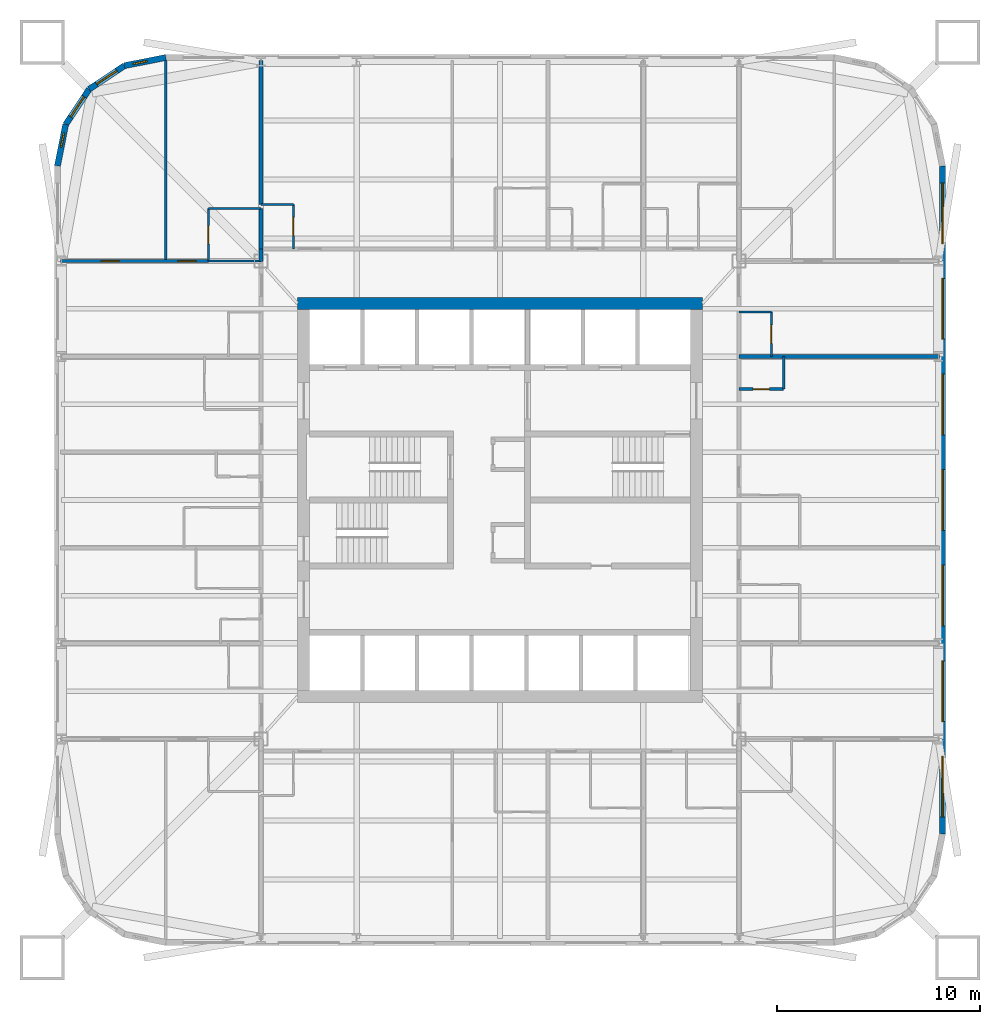
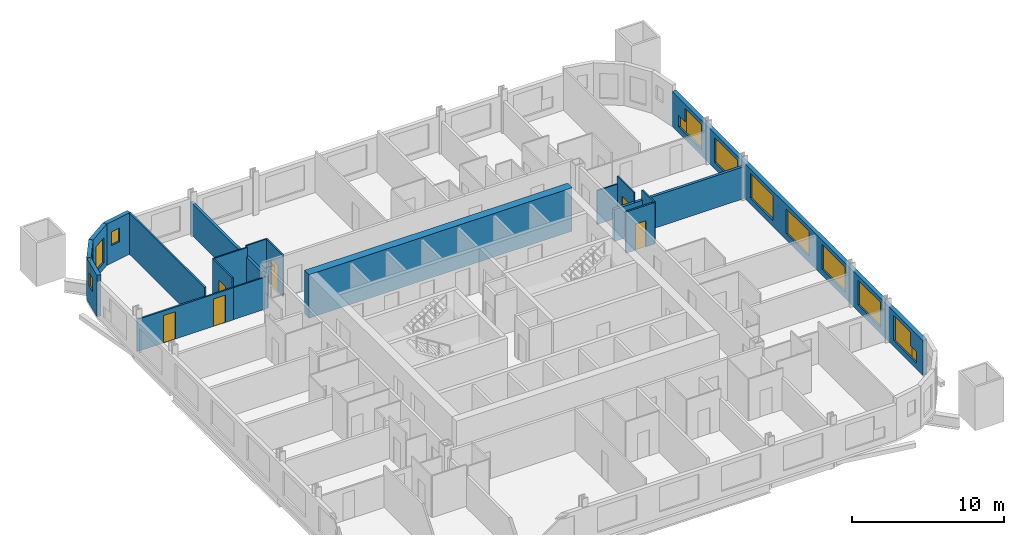
# One storey, part 7 of 10: 21 walls, 13 windows, 6 doors, 19 openings.
"""IFC4 building model written with IfcOpenShell, lengths in metres."""

from ifc_helpers import new_model, si_unit, direction, frame, frame_2d, origin, place, context, subcontext, project, spatial, rectangle, extrude, material, layer, layer_set, type_object, element, fill, save


model = new_model("IFC4")

# Units and contexts
model_context = context("Model", 3, precision=1e-05, world=origin(), true_north=direction((0.0, 1.0)))
body_context = subcontext(model_context, "Body", "Model", "MODEL_VIEW")
ifc_project = project(units=[si_unit("LENGTHUNIT", "METRE"), si_unit("AREAUNIT", "SQUARE_METRE"), si_unit("VOLUMEUNIT", "CUBIC_METRE"), si_unit("PLANEANGLEUNIT", "RADIAN"), si_unit("MASSUNIT", "GRAM", prefix="KILO")], contexts=[model_context])

# Site, building, storey
site_placement = place(None, origin())
site = spatial("IfcSite", under=ifc_project, at=site_placement, CompositionType="ELEMENT")
building_placement = place(site_placement, origin())
building = spatial("IfcBuilding", under=site, at=building_placement, Name="Turquesa Mirador Hotel Tower", CompositionType="ELEMENT")
storey_placement = place(building_placement, frame((0.0, 0.0, 32.0)))
storey = spatial("IfcBuildingStorey", under=building, at=storey_placement, Name="L07", CompositionType="ELEMENT", Elevation=32.0)

# Walls
ifc_material_1 = material(Name="Gypsum board on steel studs", Category="steel")
ifc_layer_1 = layer(ifc_material_1, 0.10009765625)
ifc_layer_set_1 = layer_set([ifc_layer_1], Name="BATHROOM WALL 100")
wall_type_1 = type_object("IfcWallType", Name="BATHROOM WALL 100", PredefinedType="PARTITIONING", material=ifc_layer_set_1)
wall_1_placement = place(storey_placement, frame((40.60009765625, 56.800048828125, 0.0), z_axis=(0.0, 0.0, 1.0), x_axis=(1.0, 0.0, 0.0)))
element("IfcWall", 1, at=wall_1_placement, inside=storey, type_object=wall_type_1, Name="Partition L07 024", PredefinedType="PARTITIONING", context=body_context, shape_type="SweptSolid", body=[
    extrude(rectangle(XDim=2.599853515625, YDim=0.10009765625, at=frame_2d((1.2998046875, 0.0))), origin(), (0.0, 0.0, 1.0), 2.572998046875),
])
wall_2_placement = place(storey_placement, frame((40.60009765625, 59.39990234375, 0.0), z_axis=(0.0, 0.0, 1.0), x_axis=(1.0, 0.0, 0.0)))
element("IfcWall", 2, at=wall_2_placement, inside=storey, type_object=wall_type_1, Name="Partition L07 029", PredefinedType="PARTITIONING", context=body_context, shape_type="SweptSolid", body=[
    extrude(rectangle(XDim=2.599853515625, YDim=0.10009765625, at=frame_2d((1.2998046875, 0.0))), origin(), (0.0, 0.0, 1.0), 3.330078125),
])
wall_3_placement = place(storey_placement, frame((43.199951171875, 59.60009765625, 0.0), z_axis=(0.0, 0.0, 1.0), x_axis=(1.0, 0.0, 0.0)))
element("IfcWall", 3, at=wall_3_placement, inside=storey, type_object=wall_type_1, Name="Partition L07 033", PredefinedType="PARTITIONING", context=body_context, shape_type="SweptSolid", body=[
    extrude(rectangle(XDim=1.60009765625, YDim=0.10009765625, at=frame_2d((0.800048828125, 0.0))), origin(), (0.0, 0.0, 1.0), 3.330078125),
])
wall_4_placement = place(storey_placement, frame((66.800048828125, 54.280029296875, 0.0), z_axis=(0.0, 0.0, 1.0), x_axis=(1.0, 0.0, 0.0)))
element("IfcWall", 4, at=wall_4_placement, inside=storey, type_object=wall_type_1, Name="Partition L07 043", PredefinedType="PARTITIONING", context=body_context, shape_type="SweptSolid", body=[
    extrude(rectangle(XDim=1.599853515625, YDim=0.10009765625, at=frame_2d((0.7998046875, 0.0))), origin(), (0.0, 0.0, 1.0), 2.722900390625),
])

# Wall, opening, door
wall_5_placement = place(storey_placement, frame((44.800048828125, 57.39990234375, 0.0), z_axis=(0.0, 0.0, 1.0), x_axis=(0.0, 1.0, 0.0)))
wall_5 = element("IfcWall", 5, at=wall_5_placement, inside=storey, type_object=wall_type_1, Name="Partition L07 047", PredefinedType="PARTITIONING", context=body_context, shape_type="SweptSolid", body=[
    extrude(rectangle(XDim=2.2001953125, YDim=0.10009765625, at=frame_2d((1.10009765625, 0.0))), origin(), (0.0, 0.0, 1.0), 3.330078125),
])
opening_1_placement = place(wall_5_placement, frame((0.64990234375, 0.0, 0.0)))
opening_1 = element("IfcOpeningElement", 6, at=opening_1_placement, cuts=wall_5, Name="Opening D06", PredefinedType="OPENING", context=body_context, shape_type="SweptSolid", body=[
    extrude(rectangle(XDim=0.89990234375, YDim=2.10009765625, at=frame_2d((0.449951171875, 1.050048828125))), frame((0.0, 0.06005859375, 0.0), z_axis=(0.0, -1.0, 0.0), x_axis=(1.0, 0.0, 0.0)), (0.0, 0.0, 1.0), 0.1201171875),
])
ifc_material_2 = material(Name="Laminate door", Category="wood")
door_type_1 = type_object("IfcDoorType", Name="DOOR 900X2100 WC", OperationType="SINGLE_SWING_LEFT", PredefinedType="DOOR", material=ifc_material_2)
door_1_placement = place(opening_1_placement, origin())
door_1 = element("IfcDoor", 7, at=door_1_placement, inside=storey, type_object=door_type_1, Name="Door 0701W", OperationType="SINGLE_SWING_LEFT", OverallHeight=2.10009765625, OverallWidth=0.89990234375, PredefinedType="DOOR", context=body_context, shape_type="SweptSolid", body=[
    extrude(rectangle(XDim=0.89990234375, YDim=2.10009765625, at=frame_2d((0.449951171875, 1.050048828125))), frame((0.0, 0.02490234375, 0.0), z_axis=(0.0, -1.0, 0.0), x_axis=(1.0, 0.0, 0.0)), (0.0, 0.0, 1.0), 0.050048828125),
])
fill(opening_1, door_1)

wall_6_placement = place(storey_placement, frame((40.60009765625, 56.800048828125, 0.0), z_axis=(0.0, 0.0, 1.0), x_axis=(0.0, 1.0, 0.0)))
wall_6 = element("IfcWall", 8, at=wall_6_placement, inside=storey, type_object=wall_type_1, Name="Partition L07 058", PredefinedType="PARTITIONING", context=body_context, shape_type="SweptSolid", body=[
    extrude(rectangle(XDim=2.599853515625, YDim=0.10009765625, at=frame_2d((1.2998046875, 0.0))), origin(), (0.0, 0.0, 1.0), 3.330078125),
])
opening_2_placement = place(wall_6_placement, frame((0.85009765625, 0.0, 0.0)))
opening_2 = element("IfcOpeningElement", 9, at=opening_2_placement, cuts=wall_6, Name="Opening D02", PredefinedType="OPENING", context=body_context, shape_type="SweptSolid", body=[
    extrude(rectangle(XDim=0.89990234375, YDim=2.10009765625, at=frame_2d((0.449951171875, 1.050048828125))), frame((0.0, 0.06005859375, 0.0), z_axis=(0.0, -1.0, 0.0), x_axis=(1.0, 0.0, 0.0)), (0.0, 0.0, 1.0), 0.1201171875),
])
ifc_material_3 = material(Name="Timber veneered door", Category="wood")
door_type_2 = type_object("IfcDoorType", Name="DOOR 900X2100 EN-SUITE", OperationType="SINGLE_SWING_RIGHT", PredefinedType="DOOR", material=ifc_material_3)
door_2_placement = place(opening_2_placement, origin())
door_2 = element("IfcDoor", 10, at=door_2_placement, inside=storey, type_object=door_type_2, Name="Door 0713B", OperationType="SINGLE_SWING_RIGHT", OverallHeight=2.10009765625, OverallWidth=0.89990234375, PredefinedType="DOOR", context=body_context, shape_type="SweptSolid", body=[
    extrude(rectangle(XDim=0.89990234375, YDim=2.10009765625, at=frame_2d((0.449951171875, 1.050048828125))), frame((0.0, 0.02490234375, 0.0), z_axis=(0.0, -1.0, 0.0), x_axis=(1.0, 0.0, 0.0)), (0.0, 0.0, 1.0), 0.050048828125),
])
fill(opening_2, door_2)

wall_7_placement = place(storey_placement, frame((68.39990234375, 52.080078125, 0.0), z_axis=(0.0, 0.0, 1.0), x_axis=(0.0, 1.0, 0.0)))
wall_7 = element("IfcWall", 11, at=wall_7_placement, inside=storey, type_object=wall_type_1, Name="Partition L07 070", PredefinedType="PARTITIONING", context=body_context, shape_type="SweptSolid", body=[
    extrude(rectangle(XDim=2.199951171875, YDim=0.10009765625, at=frame_2d((1.10009765625, 0.0))), origin(), (0.0, 0.0, 1.0), 3.330078125),
])
opening_3_placement = place(wall_7_placement, frame((0.64990234375, 0.0, 0.0)))
opening_3 = element("IfcOpeningElement", 12, at=opening_3_placement, cuts=wall_7, Name="Opening D06", PredefinedType="OPENING", context=body_context, shape_type="SweptSolid", body=[
    extrude(rectangle(XDim=0.89990234375, YDim=2.10009765625, at=frame_2d((0.449951171875, 1.050048828125))), frame((0.0, 0.06005859375, 0.0), z_axis=(0.0, -1.0, 0.0), x_axis=(1.0, 0.0, 0.0)), (0.0, 0.0, 1.0), 0.1201171875),
])
door_3_placement = place(opening_3_placement, origin())
door_3 = element("IfcDoor", 13, at=door_3_placement, inside=storey, type_object=door_type_1, Name="Door 0712W", OperationType="SINGLE_SWING_LEFT", OverallHeight=2.10009765625, OverallWidth=0.89990234375, PredefinedType="DOOR", context=body_context, shape_type="SweptSolid", body=[
    extrude(rectangle(XDim=0.89990234375, YDim=2.10009765625, at=frame_2d((0.449951171875, 1.050048828125))), frame((0.0, 0.02490234375, 0.0), z_axis=(0.0, -1.0, 0.0), x_axis=(1.0, 0.0, 0.0)), (0.0, 0.0, 1.0), 0.050048828125),
])
fill(opening_3, door_3)

# Walls
ifc_material_4 = material(Name="Concrete C50/60", Category="concrete")
ifc_layer_2 = layer(ifc_material_4, 0.60009765625)
ifc_layer_set_2 = layer_set([ifc_layer_2], Name="CORE WALL 600")
wall_type_2 = type_object("IfcWallType", Name="CORE WALL 600", PredefinedType="SHEAR", material=ifc_layer_set_2)
wall_8_placement = place(storey_placement, frame((45.0, 54.699951171875, 0.0), z_axis=(0.0, 0.0, 1.0), x_axis=(1.0, 0.0, 0.0)))
element("IfcWall", 14, at=wall_8_placement, inside=storey, type_object=wall_type_2, Name="Core wall N", PredefinedType="SHEAR", context=body_context, shape_type="SweptSolid", body=[
    extrude(rectangle(XDim=20.0, YDim=0.60009765625, at=frame_2d((10.0, 0.0))), origin(), (0.0, 0.0, 1.0), 3.5),
])
ifc_material_5 = material(Name="Fire-rated gypsum board on steel studs", Category="steel")
ifc_layer_3 = layer(ifc_material_5, 0.199951171875)
ifc_layer_set_3 = layer_set([ifc_layer_3], Name="CORRIDOR WALL 200")
wall_type_3 = type_object("IfcWallType", Name="CORRIDOR WALL 200", PredefinedType="PARTITIONING", material=ifc_layer_set_3)
wall_9_placement = place(storey_placement, frame((43.199951171875, 56.780029296875, 0.0), z_axis=(0.0, 0.0, 1.0), x_axis=(0.0, 1.0, 0.0)))
element("IfcWall", 15, at=wall_9_placement, inside=storey, type_object=wall_type_3, Name="Partition L07 089", PredefinedType="PARTITIONING", context=body_context, shape_type="SweptSolid", body=[
    extrude(rectangle(XDim=0.619873046875, YDim=0.199951171875, at=frame_2d((0.31005859375, 0.0))), origin(), (0.0, 0.0, 1.0), 2.572998046875),
])

# Wall, openings, windows
ifc_material_6 = material(Name="Limestone cladding on concrete block", Category="masonry")
ifc_layer_4 = layer(ifc_material_6, 0.300048828125)
ifc_layer_set_4 = layer_set([ifc_layer_4], Name="FACADE WALL 300 STONE SCREEN")
wall_type_4 = type_object("IfcWallType", Name="FACADE WALL 300 STONE SCREEN", PredefinedType="SOLIDWALL", material=ifc_layer_set_4)
wall_10_placement = place(storey_placement, frame((76.85009765625, 28.5, 0.0), z_axis=(0.0, 0.0, 1.0), x_axis=(0.0, 1.0, 0.0)))
wall_10 = element("IfcWall", 16, at=wall_10_placement, inside=storey, type_object=wall_type_4, Name="Facade wall L07 04", PredefinedType="SOLIDWALL", context=body_context, shape_type="SweptSolid", body=[
    extrude(rectangle(XDim=33.0, YDim=0.300048828125, at=frame_2d((16.5, 0.0))), origin(), (0.0, 0.0, 1.0), 2.830078125),
])
opening_4_placement = place(wall_10_placement, frame((1.64990234375, 0.0, 0.5)))
opening_4 = element("IfcOpeningElement", 17, at=opening_4_placement, cuts=wall_10, Name="Opening WN50", PredefinedType="OPENING", context=body_context, shape_type="SweptSolid", body=[
    extrude(rectangle(XDim=2.199951171875, YDim=2.0, at=frame_2d((1.10009765625, 1.0))), frame((0.0, 0.159912109375, 0.0), z_axis=(0.0, -1.0, 0.0), x_axis=(1.0, 0.0, 0.0)), (0.0, 0.0, 1.0), 0.320068359375),
])
opening_5_placement = place(wall_10_placement, frame((5.56005859375, 0.0, 0.5)))
opening_5 = element("IfcOpeningElement", 18, at=opening_5_placement, cuts=wall_10, Name="Opening WN1", PredefinedType="OPENING", context=body_context, shape_type="SweptSolid", body=[
    extrude(rectangle(XDim=3.0, YDim=2.0, at=frame_2d((1.5, 1.0))), frame((0.0, 0.159912109375, 0.0), z_axis=(0.0, -1.0, 0.0), x_axis=(1.0, 0.0, 0.0)), (0.0, 0.0, 1.0), 0.320068359375),
])
opening_6_placement = place(wall_10_placement, frame((10.280029296875, 0.0, 0.5)))
opening_6 = element("IfcOpeningElement", 19, at=opening_6_placement, cuts=wall_10, Name="Opening WN1", PredefinedType="OPENING", context=body_context, shape_type="SweptSolid", body=[
    extrude(rectangle(XDim=3.0, YDim=2.0, at=frame_2d((1.5, 1.0))), frame((0.0, 0.159912109375, 0.0), z_axis=(0.0, -1.0, 0.0), x_axis=(1.0, 0.0, 0.0)), (0.0, 0.0, 1.0), 0.320068359375),
])
opening_7_placement = place(wall_10_placement, frame((15.0, 0.0, 0.5)))
opening_7 = element("IfcOpeningElement", 20, at=opening_7_placement, cuts=wall_10, Name="Opening WN1", PredefinedType="OPENING", context=body_context, shape_type="SweptSolid", body=[
    extrude(rectangle(XDim=3.0, YDim=2.0, at=frame_2d((1.5, 1.0))), frame((0.0, 0.159912109375, 0.0), z_axis=(0.0, -1.0, 0.0), x_axis=(1.0, 0.0, 0.0)), (0.0, 0.0, 1.0), 0.320068359375),
])
opening_8_placement = place(wall_10_placement, frame((19.719970703125, 0.0, 0.5)))
opening_8 = element("IfcOpeningElement", 21, at=opening_8_placement, cuts=wall_10, Name="Opening WN1", PredefinedType="OPENING", context=body_context, shape_type="SweptSolid", body=[
    extrude(rectangle(XDim=3.0, YDim=2.0, at=frame_2d((1.5, 1.0))), frame((0.0, 0.159912109375, 0.0), z_axis=(0.0, -1.0, 0.0), x_axis=(1.0, 0.0, 0.0)), (0.0, 0.0, 1.0), 0.320068359375),
])
opening_9_placement = place(wall_10_placement, frame((24.43994140625, 0.0, 0.5)))
opening_9 = element("IfcOpeningElement", 22, at=opening_9_placement, cuts=wall_10, Name="Opening WN1", PredefinedType="OPENING", context=body_context, shape_type="SweptSolid", body=[
    extrude(rectangle(XDim=3.0, YDim=2.0, at=frame_2d((1.5, 1.0))), frame((0.0, 0.159912109375, 0.0), z_axis=(0.0, -1.0, 0.0), x_axis=(1.0, 0.0, 0.0)), (0.0, 0.0, 1.0), 0.320068359375),
])
opening_10_placement = place(wall_10_placement, frame((29.14990234375, 0.0, 0.5)))
opening_10 = element("IfcOpeningElement", 23, at=opening_10_placement, cuts=wall_10, Name="Opening WN50", PredefinedType="OPENING", context=body_context, shape_type="SweptSolid", body=[
    extrude(rectangle(XDim=2.199951171875, YDim=2.0, at=frame_2d((1.10009765625, 1.0))), frame((0.0, 0.159912109375, 0.0), z_axis=(0.0, -1.0, 0.0), x_axis=(1.0, 0.0, 0.0)), (0.0, 0.0, 1.0), 0.320068359375),
])
opening_11_placement = place(wall_10_placement, frame((0.85009765625, 0.0, 0.5)))
opening_11 = element("IfcOpeningElement", 24, at=opening_11_placement, cuts=wall_10, Name="Opening WN35", PredefinedType="OPENING", context=body_context, shape_type="SweptSolid", body=[
    extrude(rectangle(XDim=0.800048828125, YDim=0.89990234375, at=frame_2d((0.39990234375, 0.449951171875))), frame((0.0, 0.159912109375, 0.0), z_axis=(0.0, -1.0, 0.0), x_axis=(1.0, 0.0, 0.0)), (0.0, 0.0, 1.0), 0.320068359375),
])
opening_12_placement = place(wall_10_placement, frame((31.35009765625, 0.0, 0.5)))
opening_12 = element("IfcOpeningElement", 25, at=opening_12_placement, cuts=wall_10, Name="Opening WN35", PredefinedType="OPENING", context=body_context, shape_type="SweptSolid", body=[
    extrude(rectangle(XDim=0.800048828125, YDim=0.89990234375, at=frame_2d((0.39990234375, 0.449951171875))), frame((0.0, 0.159912109375, 0.0), z_axis=(0.0, -1.0, 0.0), x_axis=(1.0, 0.0, 0.0)), (0.0, 0.0, 1.0), 0.320068359375),
])
ifc_material_7 = material(Name="Ceramic-fritted laminated glass", Category="glass")
window_type_1 = type_object("IfcWindowType", Name="FRITTED WINDOW 2200X2000", PartitioningType="DOUBLE_PANEL_HORIZONTAL", PredefinedType="WINDOW", material=ifc_material_7)
window_1_placement = place(opening_4_placement, origin())
window_1 = element("IfcWindow", 26, at=window_1_placement, inside=storey, type_object=window_type_1, Name="Window L07", OverallHeight=2.0, OverallWidth=2.199951171875, PartitioningType="SINGLE_PANEL", PredefinedType="WINDOW", context=body_context, shape_type="SweptSolid", body=[
    extrude(rectangle(XDim=2.199951171875, YDim=2.0, at=frame_2d((1.10009765625, 1.0))), frame((0.0, 0.030029296875, 0.0), z_axis=(0.0, -1.0, 0.0), x_axis=(1.0, 0.0, 0.0)), (0.0, 0.0, 1.0), 0.06005859375),
])
fill(opening_4, window_1)
window_2_placement = place(opening_10_placement, origin())
window_2 = element("IfcWindow", 27, at=window_2_placement, inside=storey, type_object=window_type_1, Name="Window L07", OverallHeight=2.0, OverallWidth=2.199951171875, PartitioningType="SINGLE_PANEL", PredefinedType="WINDOW", context=body_context, shape_type="SweptSolid", body=[
    extrude(rectangle(XDim=2.199951171875, YDim=2.0, at=frame_2d((1.10009765625, 1.0))), frame((0.0, 0.030029296875, 0.0), z_axis=(0.0, -1.0, 0.0), x_axis=(1.0, 0.0, 0.0)), (0.0, 0.0, 1.0), 0.06005859375),
])
fill(opening_10, window_2)
ifc_material_8 = material(Name="Ceramic-fritted laminated glass", Category="glass")
window_type_2 = type_object("IfcWindowType", Name="FRITTED WINDOW 3000X2000", PartitioningType="DOUBLE_PANEL_HORIZONTAL", PredefinedType="WINDOW", material=ifc_material_8)
window_3_placement = place(opening_5_placement, origin())
window_3 = element("IfcWindow", 28, at=window_3_placement, inside=storey, type_object=window_type_2, Name="Window L07", OverallHeight=2.0, OverallWidth=3.0, PartitioningType="SINGLE_PANEL", PredefinedType="WINDOW", context=body_context, shape_type="SweptSolid", body=[
    extrude(rectangle(XDim=3.0, YDim=2.0, at=frame_2d((1.5, 1.0))), frame((0.0, 0.030029296875, 0.0), z_axis=(0.0, -1.0, 0.0), x_axis=(1.0, 0.0, 0.0)), (0.0, 0.0, 1.0), 0.06005859375),
])
fill(opening_5, window_3)
window_4_placement = place(opening_6_placement, origin())
window_4 = element("IfcWindow", 29, at=window_4_placement, inside=storey, type_object=window_type_2, Name="Window L07", OverallHeight=2.0, OverallWidth=3.0, PartitioningType="SINGLE_PANEL", PredefinedType="WINDOW", context=body_context, shape_type="SweptSolid", body=[
    extrude(rectangle(XDim=3.0, YDim=2.0, at=frame_2d((1.5, 1.0))), frame((0.0, 0.030029296875, 0.0), z_axis=(0.0, -1.0, 0.0), x_axis=(1.0, 0.0, 0.0)), (0.0, 0.0, 1.0), 0.06005859375),
])
fill(opening_6, window_4)
window_5_placement = place(opening_7_placement, origin())
window_5 = element("IfcWindow", 30, at=window_5_placement, inside=storey, type_object=window_type_2, Name="Window L07", OverallHeight=2.0, OverallWidth=3.0, PartitioningType="SINGLE_PANEL", PredefinedType="WINDOW", context=body_context, shape_type="SweptSolid", body=[
    extrude(rectangle(XDim=3.0, YDim=2.0, at=frame_2d((1.5, 1.0))), frame((0.0, 0.030029296875, 0.0), z_axis=(0.0, -1.0, 0.0), x_axis=(1.0, 0.0, 0.0)), (0.0, 0.0, 1.0), 0.06005859375),
])
fill(opening_7, window_5)
window_6_placement = place(opening_8_placement, origin())
window_6 = element("IfcWindow", 31, at=window_6_placement, inside=storey, type_object=window_type_2, Name="Window L07", OverallHeight=2.0, OverallWidth=3.0, PartitioningType="SINGLE_PANEL", PredefinedType="WINDOW", context=body_context, shape_type="SweptSolid", body=[
    extrude(rectangle(XDim=3.0, YDim=2.0, at=frame_2d((1.5, 1.0))), frame((0.0, 0.030029296875, 0.0), z_axis=(0.0, -1.0, 0.0), x_axis=(1.0, 0.0, 0.0)), (0.0, 0.0, 1.0), 0.06005859375),
])
fill(opening_8, window_6)
window_7_placement = place(opening_9_placement, origin())
window_7 = element("IfcWindow", 32, at=window_7_placement, inside=storey, type_object=window_type_2, Name="Window L07", OverallHeight=2.0, OverallWidth=3.0, PartitioningType="SINGLE_PANEL", PredefinedType="WINDOW", context=body_context, shape_type="SweptSolid", body=[
    extrude(rectangle(XDim=3.0, YDim=2.0, at=frame_2d((1.5, 1.0))), frame((0.0, 0.030029296875, 0.0), z_axis=(0.0, -1.0, 0.0), x_axis=(1.0, 0.0, 0.0)), (0.0, 0.0, 1.0), 0.06005859375),
])
fill(opening_9, window_7)
ifc_material_9 = material(Name="Ceramic-fritted laminated glass", Category="glass")
window_type_3 = type_object("IfcWindowType", Name="FRITTED WINDOW 800X900", PartitioningType="DOUBLE_PANEL_HORIZONTAL", PredefinedType="WINDOW", material=ifc_material_9)
window_8_placement = place(opening_11_placement, origin())
window_8 = element("IfcWindow", 33, at=window_8_placement, inside=storey, type_object=window_type_3, Name="Window L07", OverallHeight=0.89990234375, OverallWidth=0.800048828125, PartitioningType="SINGLE_PANEL", PredefinedType="WINDOW", context=body_context, shape_type="SweptSolid", body=[
    extrude(rectangle(XDim=0.800048828125, YDim=0.89990234375, at=frame_2d((0.39990234375, 0.449951171875))), frame((0.0, 0.030029296875, 0.0), z_axis=(0.0, -1.0, 0.0), x_axis=(1.0, 0.0, 0.0)), (0.0, 0.0, 1.0), 0.06005859375),
])
fill(opening_11, window_8)
window_9_placement = place(opening_12_placement, origin())
window_9 = element("IfcWindow", 34, at=window_9_placement, inside=storey, type_object=window_type_3, Name="Window L07", OverallHeight=0.89990234375, OverallWidth=0.800048828125, PartitioningType="SINGLE_PANEL", PredefinedType="WINDOW", context=body_context, shape_type="SweptSolid", body=[
    extrude(rectangle(XDim=0.800048828125, YDim=0.89990234375, at=frame_2d((0.39990234375, 0.449951171875))), frame((0.0, 0.030029296875, 0.0), z_axis=(0.0, -1.0, 0.0), x_axis=(1.0, 0.0, 0.0)), (0.0, 0.0, 1.0), 0.06005859375),
])
fill(opening_12, window_9)

# Wall, opening, window
wall_11_placement = place(storey_placement, frame((38.5, 66.85009765625, 0.0), z_axis=(0.0, 0.0, 1.0), x_axis=(-0.980787050784, -0.195081421501, 0.0)))
wall_11 = element("IfcWall", 35, at=wall_11_placement, inside=storey, type_object=wall_type_4, Name="Facade wall L07 10", PredefinedType="SOLIDWALL", context=body_context, shape_type="SweptSolid", body=[
    extrude(rectangle(XDim=2.08740234375, YDim=0.300048828125, at=frame_2d((1.043701171875, 0.0))), origin(), (0.0, 0.0, 1.0), 3.330078125),
])
opening_13_placement = place(wall_11_placement, frame((0.943603515625, 0.0, 1.39990234375)))
opening_13 = element("IfcOpeningElement", 36, at=opening_13_placement, cuts=wall_11, Name="Opening WN16", PredefinedType="OPENING", context=body_context, shape_type="SweptSolid", body=[
    extrude(rectangle(XDim=0.699951171875, YDim=1.10009765625, at=frame_2d((0.35009765625, 0.550048828125))), frame((0.0, 0.159912109375, 0.0), z_axis=(0.0, -1.0, 0.0), x_axis=(1.0, 0.0, 0.0)), (0.0, 0.0, 1.0), 0.320068359375),
])
ifc_material_10 = material(Name="Ceramic-fritted laminated glass", Category="glass")
window_type_4 = type_object("IfcWindowType", Name="FRITTED CORNER WINDOW 700X1100", PartitioningType="DOUBLE_PANEL_HORIZONTAL", PredefinedType="WINDOW", material=ifc_material_10)
window_10_placement = place(opening_13_placement, origin())
window_10 = element("IfcWindow", 37, at=window_10_placement, inside=storey, type_object=window_type_4, Name="Window L07", OverallHeight=1.10009765625, OverallWidth=0.699951171875, PartitioningType="SINGLE_PANEL", PredefinedType="WINDOW", context=body_context, shape_type="SweptSolid", body=[
    extrude(rectangle(XDim=0.699951171875, YDim=1.10009765625, at=frame_2d((0.35009765625, 0.550048828125))), frame((0.0, 0.030029296875, 0.0), z_axis=(0.0, -1.0, 0.0), x_axis=(1.0, 0.0, 0.0)), (0.0, 0.0, 1.0), 0.06005859375),
])
fill(opening_13, window_10)

wall_12_placement = place(storey_placement, frame((36.45263671875, 66.44287109375, 0.0), z_axis=(0.0, 0.0, 1.0), x_axis=(-0.831420010345, -0.555644460423, 0.0)))
wall_12 = element("IfcWall", 38, at=wall_12_placement, inside=storey, type_object=wall_type_4, Name="Facade wall L07 11", PredefinedType="SOLIDWALL", context=body_context, shape_type="SweptSolid", body=[
    extrude(rectangle(XDim=2.08740234375, YDim=0.300048828125, at=frame_2d((1.043701171875, 0.0))), origin(), (0.0, 0.0, 1.0), 3.330078125),
])
opening_14_placement = place(wall_12_placement, frame((0.443603515625, 0.0, 0.5)))
opening_14 = element("IfcOpeningElement", 39, at=opening_14_placement, cuts=wall_12, Name="Opening WN4", PredefinedType="OPENING", context=body_context, shape_type="SweptSolid", body=[
    extrude(rectangle(XDim=1.199951171875, YDim=2.0, at=frame_2d((0.60009765625, 1.0))), frame((0.0, 0.159912109375, 0.0), z_axis=(0.0, -1.0, 0.0), x_axis=(1.0, 0.0, 0.0)), (0.0, 0.0, 1.0), 0.320068359375),
])
ifc_material_11 = material(Name="Ceramic-fritted laminated glass", Category="glass")
window_type_5 = type_object("IfcWindowType", Name="FRITTED CORNER WINDOW 1200X2000", PartitioningType="DOUBLE_PANEL_HORIZONTAL", PredefinedType="WINDOW", material=ifc_material_11)
window_11_placement = place(opening_14_placement, origin())
window_11 = element("IfcWindow", 40, at=window_11_placement, inside=storey, type_object=window_type_5, Name="Window L07", OverallHeight=2.0, OverallWidth=1.199951171875, PartitioningType="SINGLE_PANEL", PredefinedType="WINDOW", context=body_context, shape_type="SweptSolid", body=[
    extrude(rectangle(XDim=1.199951171875, YDim=2.0, at=frame_2d((0.60009765625, 1.0))), frame((0.0, 0.030029296875, 0.0), z_axis=(0.0, -1.0, 0.0), x_axis=(1.0, 0.0, 0.0)), (0.0, 0.0, 1.0), 0.06005859375),
])
fill(opening_14, window_11)

wall_13_placement = place(storey_placement, frame((34.717041015625, 65.282958984375, 0.0), z_axis=(0.0, 0.0, 1.0), x_axis=(-0.555644460423, -0.831420010345, 0.0)))
wall_13 = element("IfcWall", 41, at=wall_13_placement, inside=storey, type_object=wall_type_4, Name="Facade wall L07 12", PredefinedType="SOLIDWALL", context=body_context, shape_type="SweptSolid", body=[
    extrude(rectangle(XDim=2.08740234375, YDim=0.300048828125, at=frame_2d((1.043701171875, 0.0))), origin(), (0.0, 0.0, 1.0), 3.330078125),
])
opening_15_placement = place(wall_13_placement, frame((0.443603515625, 0.0, 0.5)))
opening_15 = element("IfcOpeningElement", 42, at=opening_15_placement, cuts=wall_13, Name="Opening WN4", PredefinedType="OPENING", context=body_context, shape_type="SweptSolid", body=[
    extrude(rectangle(XDim=1.199951171875, YDim=2.0, at=frame_2d((0.60009765625, 1.0))), frame((0.0, 0.159912109375, 0.0), z_axis=(0.0, -1.0, 0.0), x_axis=(1.0, 0.0, 0.0)), (0.0, 0.0, 1.0), 0.320068359375),
])
window_12_placement = place(opening_15_placement, origin())
window_12 = element("IfcWindow", 43, at=window_12_placement, inside=storey, type_object=window_type_5, Name="Window L07", OverallHeight=2.0, OverallWidth=1.199951171875, PartitioningType="SINGLE_PANEL", PredefinedType="WINDOW", context=body_context, shape_type="SweptSolid", body=[
    extrude(rectangle(XDim=1.199951171875, YDim=2.0, at=frame_2d((0.60009765625, 1.0))), frame((0.0, 0.030029296875, 0.0), z_axis=(0.0, -1.0, 0.0), x_axis=(1.0, 0.0, 0.0)), (0.0, 0.0, 1.0), 0.06005859375),
])
fill(opening_15, window_12)

wall_14_placement = place(storey_placement, frame((33.55712890625, 63.54736328125, 0.0), z_axis=(0.0, 0.0, 1.0), x_axis=(-0.195081421501, -0.980787050784, 0.0)))
wall_14 = element("IfcWall", 44, at=wall_14_placement, inside=storey, type_object=wall_type_4, Name="Facade wall L07 13", PredefinedType="SOLIDWALL", context=body_context, shape_type="SweptSolid", body=[
    extrude(rectangle(XDim=2.08740234375, YDim=0.300048828125, at=frame_2d((1.043701171875, 0.0))), origin(), (0.0, 0.0, 1.0), 3.330078125),
])
opening_16_placement = place(wall_14_placement, frame((0.443603515625, 0.0, 1.39990234375)))
opening_16 = element("IfcOpeningElement", 45, at=opening_16_placement, cuts=wall_14, Name="Opening WN16", PredefinedType="OPENING", context=body_context, shape_type="SweptSolid", body=[
    extrude(rectangle(XDim=0.699951171875, YDim=1.10009765625, at=frame_2d((0.35009765625, 0.550048828125))), frame((0.0, 0.159912109375, 0.0), z_axis=(0.0, -1.0, 0.0), x_axis=(1.0, 0.0, 0.0)), (0.0, 0.0, 1.0), 0.320068359375),
])
window_13_placement = place(opening_16_placement, origin())
window_13 = element("IfcWindow", 46, at=window_13_placement, inside=storey, type_object=window_type_4, Name="Window L07", OverallHeight=1.10009765625, OverallWidth=0.699951171875, PartitioningType="SINGLE_PANEL", PredefinedType="WINDOW", context=body_context, shape_type="SweptSolid", body=[
    extrude(rectangle(XDim=0.699951171875, YDim=1.10009765625, at=frame_2d((0.35009765625, 0.550048828125))), frame((0.0, 0.030029296875, 0.0), z_axis=(0.0, -1.0, 0.0), x_axis=(1.0, 0.0, 0.0)), (0.0, 0.0, 1.0), 0.06005859375),
])
fill(opening_16, window_13)

# Walls
ifc_material_12 = material(Name="Fire-rated gypsum board on steel studs", Category="steel")
ifc_layer_5 = layer(ifc_material_12, 0.199951171875)
ifc_layer_set_5 = layer_set([ifc_layer_5], Name="PARTY WALL 200")
wall_type_5 = type_object("IfcWallType", Name="PARTY WALL 200", PredefinedType="PARTITIONING", material=ifc_layer_set_5)
wall_15_placement = place(storey_placement, frame((66.800048828125, 52.080078125, 0.0), z_axis=(0.0, 0.0, 1.0), x_axis=(1.0, 0.0, 0.0)))
element("IfcWall", 47, at=wall_15_placement, inside=storey, type_object=wall_type_5, Name="Partition L07 041", PredefinedType="PARTITIONING", context=body_context, shape_type="SweptSolid", body=[
    extrude(rectangle(XDim=9.89990234375, YDim=0.199951171875, at=frame_2d((4.949951171875, 0.0))), origin(), (0.0, 0.0, 1.0), 2.572998046875),
])
wall_16_placement = place(storey_placement, frame((43.199951171875, 57.39990234375, 0.0), z_axis=(0.0, 0.0, 1.0), x_axis=(0.0, 1.0, 0.0)))
element("IfcWall", 48, at=wall_16_placement, inside=storey, type_object=wall_type_5, Name="Partition L07 051", PredefinedType="PARTITIONING", context=body_context, shape_type="SweptSolid", body=[
    extrude(rectangle(XDim=2.0, YDim=0.199951171875, at=frame_2d((1.0, 0.0))), origin(), (0.0, 0.0, 1.0), 2.572998046875),
])
wall_17_placement = place(storey_placement, frame((43.199951171875, 59.60009765625, 0.0), z_axis=(0.0, 0.0, 1.0), x_axis=(0.0, 1.0, 0.0)))
element("IfcWall", 49, at=wall_17_placement, inside=storey, type_object=wall_type_5, Name="Partition L07 052", PredefinedType="PARTITIONING", context=body_context, shape_type="SweptSolid", body=[
    extrude(rectangle(XDim=7.099853515625, YDim=0.199951171875, at=frame_2d((3.5498046875, 0.0))), origin(), (0.0, 0.0, 1.0), 2.572998046875),
])

# Wall, openings, doors
ifc_material_13 = material(Name="Acoustic gypsum board on steel studs", Category="steel")
ifc_layer_6 = layer(ifc_material_13, 0.125)
ifc_layer_set_6 = layer_set([ifc_layer_6], Name="SUITE PARTITION 125")
wall_type_6 = type_object("IfcWallType", Name="SUITE PARTITION 125", PredefinedType="PARTITIONING", material=ifc_layer_set_6)
wall_18_placement = place(storey_placement, frame((33.300048828125, 56.800048828125, 0.0), z_axis=(0.0, 0.0, 1.0), x_axis=(1.0, 0.0, 0.0)))
wall_18 = element("IfcWall", 50, at=wall_18_placement, inside=storey, type_object=wall_type_6, Name="Partition L07 026", PredefinedType="PARTITIONING", context=body_context, shape_type="SweptSolid", body=[
    extrude(rectangle(XDim=7.300048828125, YDim=0.125, at=frame_2d((3.64990234375, 0.0))), origin(), (0.0, 0.0, 1.0), 2.572998046875),
])
opening_17_placement = place(wall_18_placement, frame((5.800048828125, 0.0, 0.0)))
opening_17 = element("IfcOpeningElement", 51, at=opening_17_placement, cuts=wall_18, Name="Opening D17", PredefinedType="OPENING", context=body_context, shape_type="SweptSolid", body=[
    extrude(rectangle(XDim=0.89990234375, YDim=2.199951171875, at=frame_2d((0.449951171875, 1.10009765625))), frame((0.0, 0.072509765625, 0.0), z_axis=(0.0, -1.0, 0.0), x_axis=(1.0, 0.0, 0.0)), (0.0, 0.0, 1.0), 0.14501953125),
])
opening_18_placement = place(wall_18_placement, frame((2.0, 0.0, 0.0)))
opening_18 = element("IfcOpeningElement", 52, at=opening_18_placement, cuts=wall_18, Name="Opening D17", PredefinedType="OPENING", context=body_context, shape_type="SweptSolid", body=[
    extrude(rectangle(XDim=0.89990234375, YDim=2.199951171875, at=frame_2d((0.449951171875, 1.10009765625))), frame((0.0, 0.072509765625, 0.0), z_axis=(0.0, -1.0, 0.0), x_axis=(1.0, 0.0, 0.0)), (0.0, 0.0, 1.0), 0.14501953125),
])
ifc_material_14 = material(Name="Timber veneered door", Category="wood")
door_type_3 = type_object("IfcDoorType", Name="DOOR 900X2200 SUITE INTERNAL", OperationType="SINGLE_SWING_LEFT", PredefinedType="DOOR", material=ifc_material_14)
door_4_placement = place(opening_17_placement, origin())
door_4 = element("IfcDoor", 53, at=door_4_placement, inside=storey, type_object=door_type_3, Name="Door 0713R", OperationType="SINGLE_SWING_LEFT", OverallHeight=2.199951171875, OverallWidth=0.89990234375, PredefinedType="DOOR", context=body_context, shape_type="SweptSolid", body=[
    extrude(rectangle(XDim=0.89990234375, YDim=2.199951171875, at=frame_2d((0.449951171875, 1.10009765625))), frame((0.0, 0.02490234375, 0.0), z_axis=(0.0, -1.0, 0.0), x_axis=(1.0, 0.0, 0.0)), (0.0, 0.0, 1.0), 0.050048828125),
])
fill(opening_17, door_4)
door_5_placement = place(opening_18_placement, origin())
door_5 = element("IfcDoor", 54, at=door_5_placement, inside=storey, type_object=door_type_3, Name="Door 0713S", OperationType="SINGLE_SWING_LEFT", OverallHeight=2.199951171875, OverallWidth=0.89990234375, PredefinedType="DOOR", context=body_context, shape_type="SweptSolid", body=[
    extrude(rectangle(XDim=0.89990234375, YDim=2.199951171875, at=frame_2d((0.449951171875, 1.10009765625))), frame((0.0, 0.02490234375, 0.0), z_axis=(0.0, -1.0, 0.0), x_axis=(1.0, 0.0, 0.0)), (0.0, 0.0, 1.0), 0.050048828125),
])
fill(opening_18, door_5)

# Wall, opening, door
wall_19_placement = place(storey_placement, frame((66.800048828125, 50.47998046875, 0.0), z_axis=(0.0, 0.0, 1.0), x_axis=(1.0, 0.0, 0.0)))
wall_19 = element("IfcWall", 55, at=wall_19_placement, inside=storey, type_object=wall_type_6, Name="Partition L07 039", PredefinedType="PARTITIONING", context=body_context, shape_type="SweptSolid", body=[
    extrude(rectangle(XDim=2.199951171875, YDim=0.125, at=frame_2d((1.10009765625, 0.0))), origin(), (0.0, 0.0, 1.0), 3.330078125),
])
opening_19_placement = place(wall_19_placement, frame((0.699951171875, 0.0, 0.0)))
opening_19 = element("IfcOpeningElement", 56, at=opening_19_placement, cuts=wall_19, Name="Opening D20", PredefinedType="OPENING", context=body_context, shape_type="SweptSolid", body=[
    extrude(rectangle(XDim=0.800048828125, YDim=2.10009765625, at=frame_2d((0.39990234375, 1.050048828125))), frame((0.0, 0.072509765625, 0.0), z_axis=(0.0, -1.0, 0.0), x_axis=(1.0, 0.0, 0.0)), (0.0, 0.0, 1.0), 0.14501953125),
])
ifc_material_15 = material(Name="Timber veneered sliding door", Category="wood")
door_type_4 = type_object("IfcDoorType", Name="DOOR 800X2100 WARDROBE", OperationType="SLIDING_TO_LEFT", PredefinedType="DOOR", material=ifc_material_15)
door_6_placement = place(opening_19_placement, origin())
door_6 = element("IfcDoor", 57, at=door_6_placement, inside=storey, type_object=door_type_4, Name="Door 0708W", OperationType="SLIDING_TO_LEFT", OverallHeight=2.10009765625, OverallWidth=0.800048828125, PredefinedType="DOOR", context=body_context, shape_type="SweptSolid", body=[
    extrude(rectangle(XDim=0.800048828125, YDim=2.10009765625, at=frame_2d((0.39990234375, 1.050048828125))), frame((0.0, 0.02490234375, 0.0), z_axis=(0.0, -1.0, 0.0), x_axis=(1.0, 0.0, 0.0)), (0.0, 0.0, 1.0), 0.050048828125),
])
fill(opening_19, door_6)

# Walls
wall_20_placement = place(storey_placement, frame((38.5, 56.800048828125, 0.0), z_axis=(0.0, 0.0, 1.0), x_axis=(0.0, 1.0, 0.0)))
element("IfcWall", 58, at=wall_20_placement, inside=storey, type_object=wall_type_6, Name="Partition L07 063", PredefinedType="PARTITIONING", context=body_context, shape_type="SweptSolid", body=[
    extrude(rectangle(XDim=9.89404296875, YDim=0.125, at=frame_2d((4.947021484375, 0.0))), origin(), (0.0, 0.0, 1.0), 3.330078125),
])
wall_21_placement = place(storey_placement, frame((69.0, 50.47998046875, 0.0), z_axis=(0.0, 0.0, 1.0), x_axis=(0.0, 1.0, 0.0)))
element("IfcWall", 59, at=wall_21_placement, inside=storey, type_object=wall_type_6, Name="Partition L07 071", PredefinedType="PARTITIONING", context=body_context, shape_type="SweptSolid", body=[
    extrude(rectangle(XDim=1.60009765625, YDim=0.125, at=frame_2d((0.800048828125, 0.0))), origin(), (0.0, 0.0, 1.0), 3.330078125),
])

save(model, "model.ifc")
